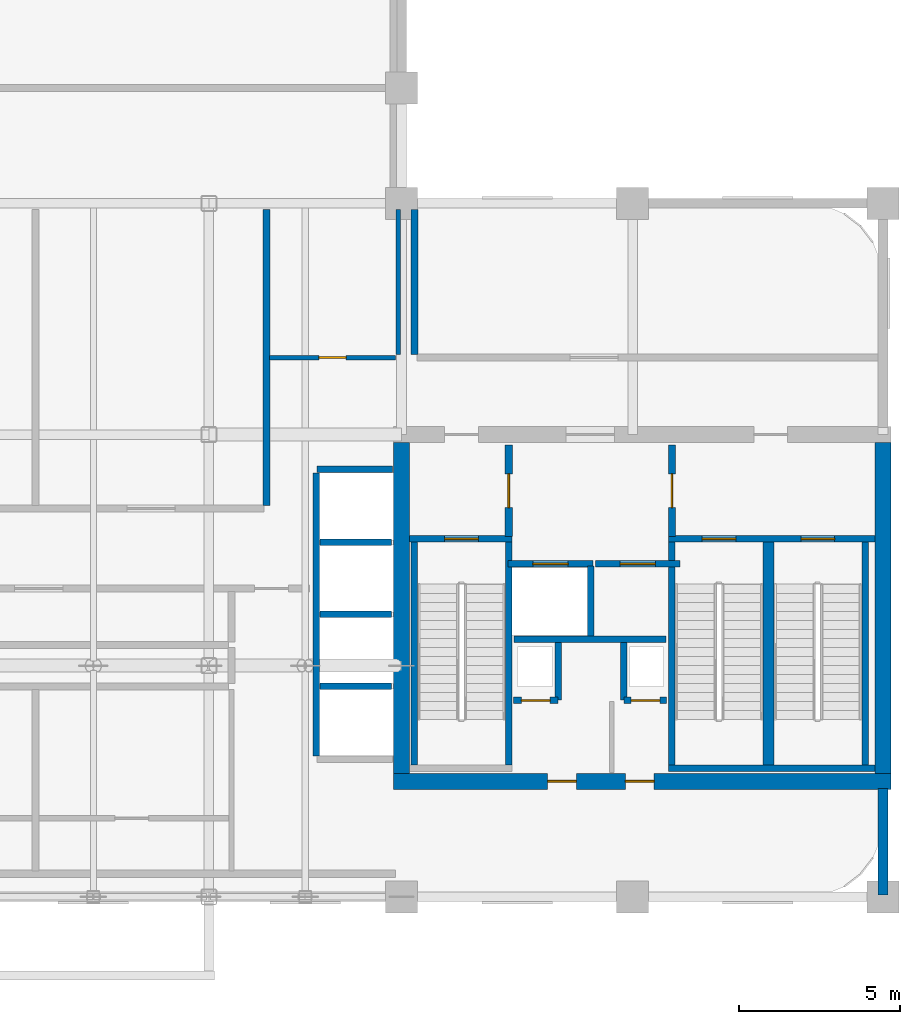
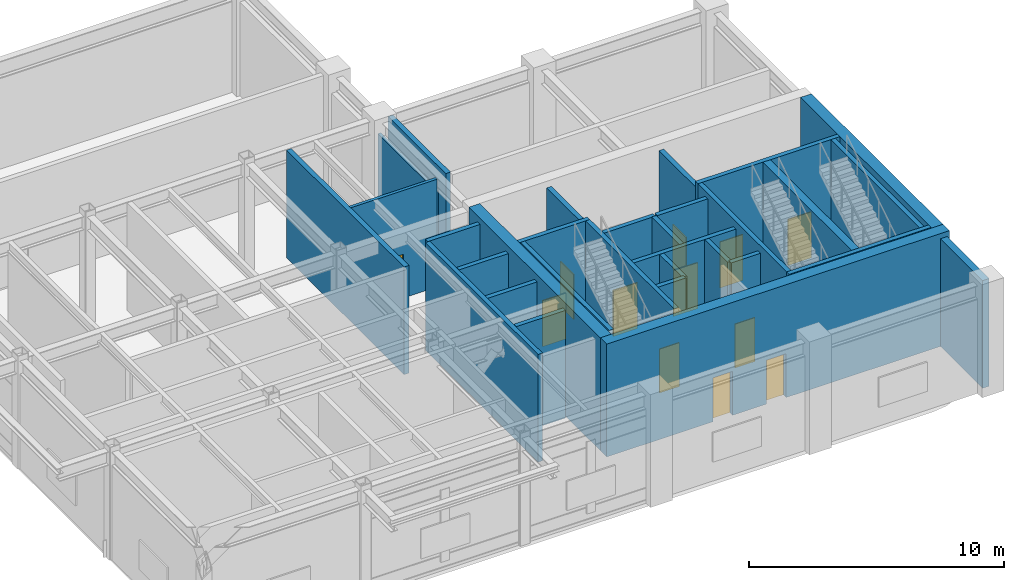
# One storey, part 6 of 10: 31 walls, 12 doors, 12 openings.
"""IFC4 building model written with IfcOpenShell, lengths in metres."""

from ifc_helpers import new_model, si_unit, derived_unit, direction, frame, frame_2d, origin, place, context, subcontext, project, spatial, rectangle, extrude, source, transform, mapped, material, layer, layer_set, type_object, type_shapes, element, fill, save


model = new_model("IFC4")

# Units and contexts
model_context = context("Model", 3, precision=1e-05, world=origin(), true_north=direction((0.0, 1.0)))
body_context = subcontext(model_context, "Body", "Model", "MODEL_VIEW")
ifc_project = project(units=[si_unit("LENGTHUNIT", "METRE"), si_unit("AREAUNIT", "SQUARE_METRE"), si_unit("VOLUMEUNIT", "CUBIC_METRE"), si_unit("PLANEANGLEUNIT", "RADIAN"), si_unit("MASSUNIT", "GRAM", prefix="KILO"), si_unit("THERMODYNAMICTEMPERATUREUNIT", "KELVIN"), si_unit("POWERUNIT", "WATT"), derived_unit("THERMALTRANSMITTANCEUNIT", [(si_unit("POWERUNIT", "WATT"), 1), (si_unit("AREAUNIT", "SQUARE_METRE"), -1), (si_unit("THERMODYNAMICTEMPERATUREUNIT", "KELVIN"), -1)])], contexts=[model_context])

# Site, building, storey
site_placement = place(None, origin())
site = spatial("IfcSite", under=ifc_project, at=site_placement, CompositionType="ELEMENT")
building_placement = place(site_placement, origin())
building = spatial("IfcBuilding", under=site, at=building_placement, Name="Zahravan Archway Hotel and Residences", CompositionType="ELEMENT")
storey_placement = place(building_placement, frame((0.0, 0.0, 196.5)))
storey = spatial("IfcBuildingStorey", under=building, at=storey_placement, Name="L49", CompositionType="ELEMENT", Elevation=196.5)

# Wall, openings, doors
ifc_material_1 = material(Name="Concrete C60/75", Category="concrete")
ifc_layer_1 = layer(ifc_material_1, 0.5, Name="Concrete C60/75", Category="concrete")
ifc_layer_set_1 = layer_set([ifc_layer_1], Name="Concrete C60/75")
wall_type_1 = type_object("IfcWallType", Name="CW-CORE-500", PredefinedType="SHEAR", material=ifc_layer_set_1)
wall_1_placement = place(storey_placement, frame((34.550048828125, 3.60009765625, 0.0), z_axis=(0.0, 0.0, 1.0), x_axis=(1.0, 0.0, 0.0)))
wall_1 = element("IfcWall", 1, at=wall_1_placement, inside=storey, type_object=wall_type_1, Name="L49 Core A Shear S Wall 500 mm", PredefinedType="SHEAR", context=body_context, shape_type="SweptSolid", body=[
    extrude(rectangle(XDim=15.5, YDim=0.5, at=frame_2d((7.75, 0.0))), origin(), (0.0, 0.0, 1.0), 5.39990234375),
])
opening_1_placement = place(wall_1_placement, frame((4.800048828125, 0.0, 0.0)))
opening_1 = element("IfcOpeningElement", 2, at=opening_1_placement, cuts=wall_1, Name="Opening FD-R1", PredefinedType="OPENING", context=body_context, shape_type="SweptSolid", body=[
    extrude(rectangle(XDim=0.89990234375, YDim=2.10009765625, at=frame_2d((0.449951171875, 1.050048828125))), frame((0.0, 0.260009765625, 0.0), z_axis=(0.0, -1.0, 0.0), x_axis=(1.0, 0.0, 0.0)), (0.0, 0.0, 1.0), 0.52001953125),
])
opening_2_placement = place(wall_1_placement, frame((7.219970703125, 0.0, 0.0)))
opening_2 = element("IfcOpeningElement", 3, at=opening_2_placement, cuts=wall_1, Name="Opening FD-R1", PredefinedType="OPENING", context=body_context, shape_type="SweptSolid", body=[
    extrude(rectangle(XDim=0.89990234375, YDim=2.10009765625, at=frame_2d((0.449951171875, 1.050048828125))), frame((0.0, 0.260009765625, 0.0), z_axis=(0.0, -1.0, 0.0), x_axis=(1.0, 0.0, 0.0)), (0.0, 0.0, 1.0), 0.52001953125),
])
ifc_material_2 = material(Name="Fire-Rated Painted Steel", Category="steel")
door_type_1 = type_object("IfcDoorType", Name="FD-RISER-900", OperationType="NOTDEFINED", PredefinedType="DOOR", material=ifc_material_2)
shared_shape_1 = source(origin(), body_context, "Body", "SweptSolid", [
    extrude(rectangle(XDim=0.89990234375, YDim=2.10009765625, at=frame_2d((0.449951171875, 1.050048828125))), frame((0.0, 0.02490234375, 0.0), z_axis=(0.0, -1.0, 0.0), x_axis=(1.0, 0.0, 0.0)), (0.0, 0.0, 1.0), 0.050048828125),
])
type_shapes(door_type_1, [shared_shape_1])
door_1_placement = place(opening_1_placement, origin())
door_1 = element("IfcDoor", 4, at=door_1_placement, inside=storey, type_object=door_type_1, Name="L49 Service Pantry Door", OperationType="SINGLE_SWING_LEFT", OverallHeight=2.10009765625, OverallWidth=0.89990234375, PredefinedType="DOOR", context=body_context, shape_type="MappedRepresentation", body=[
    mapped(shared_shape_1, transform((0.0, 0.0, 0.0), scale=1.0)),
])
fill(opening_1, door_1)
door_2_placement = place(opening_2_placement, origin())
door_2 = element("IfcDoor", 5, at=door_2_placement, inside=storey, type_object=door_type_1, Name="L49 Fibre ELV Riser Door", OperationType="SINGLE_SWING_RIGHT", OverallHeight=2.10009765625, OverallWidth=0.89990234375, PredefinedType="DOOR", context=body_context, shape_type="MappedRepresentation", body=[
    mapped(shared_shape_1, transform((0.0, 0.0, 0.0), scale=1.0)),
])
fill(opening_2, door_2)

# Walls
for number, where, z_axis, x_axis, name in (
    (6, (34.800048828125, 3.85009765625, 0.0), (0.0, 0.0, 1.0), (0.0, 1.0, 0.0), "L49 Core A Shear W Wall 500 mm"),
    (7, (49.800048828125, 3.85009765625, 0.0), (0.0, 0.0, 1.0), (0.0, 1.0, 0.0), "L49 Core A Shear E Wall 500 mm"),
):
    element("IfcWall", number, at=place(storey_placement, frame(where, z_axis=z_axis, x_axis=x_axis)), inside=storey, type_object=wall_type_1, Name=name, PredefinedType="SHEAR", context=body_context, shape_type="SweptSolid", body=[
        extrude(rectangle(XDim=10.2998046875, YDim=0.5, at=frame_2d((5.14990234375, 0.0))), origin(), (0.0, 0.0, 1.0), 5.39990234375),
    ])
ifc_material_3 = material(Name="Acoustic Louvred Sandstone Backup Wall", Category="masonry")
ifc_layer_2 = layer(ifc_material_3, 0.300048828125, Name="Acoustic Louvred Sandstone Backup Wall", Category="masonry")
ifc_layer_set_2 = layer_set([ifc_layer_2], Name="Acoustic Louvred Sandstone Backup Wall")
wall_type_2 = type_object("IfcWallType", Name="EW-REF-300", PredefinedType="SOLIDWALL", material=ifc_layer_set_2)
wall_2_placement = place(storey_placement, frame((49.800048828125, 0.050048828125, 0.0), z_axis=(0.0, 0.0, 1.0), x_axis=(0.0, 1.0, 0.0)))
element("IfcWall", 8, at=wall_2_placement, inside=storey, type_object=wall_type_2, Name="L49 Exterior Sandstone Wall WA-ES", PredefinedType="SOLIDWALL", context=body_context, shape_type="SweptSolid", body=[
    extrude(rectangle(XDim=3.329833984375, YDim=0.300048828125, at=frame_2d((1.6650390625, 0.0))), origin(), (0.0, 0.0, 1.0), 5.14990234375),
])

# Wall, opening, door
ifc_material_4 = material(Name="Fire-Rated Gypsum & Concrete Block", Category="concrete")
ifc_layer_3 = layer(ifc_material_4, 0.219970703125, Name="Fire-Rated Gypsum & Concrete Block", Category="concrete")
ifc_layer_set_3 = layer_set([ifc_layer_3], Name="Fire-Rated Gypsum & Concrete Block")
wall_type_3 = type_object("IfcWallType", Name="PW-COMP-220", PredefinedType="PARTITIONING", material=ifc_layer_set_3)
wall_3_placement = place(storey_placement, frame((38.139892578125, 11.219970703125, 0.0), z_axis=(0.0, 0.0, 1.0), x_axis=(0.0, 1.0, 0.0)))
wall_3 = element("IfcWall", 9, at=wall_3_placement, inside=storey, type_object=wall_type_3, Name="L49 Partition CA-LOBW", PredefinedType="PARTITIONING", context=body_context, shape_type="SweptSolid", body=[
    extrude(rectangle(XDim=2.860107421875, YDim=0.219970703125, at=frame_2d((1.43017578125, 0.0))), origin(), (0.0, 0.0, 1.0), 5.14990234375),
])
opening_3_placement = place(wall_3_placement, frame((0.905029296875, 0.0, 0.0)))
opening_3 = element("IfcOpeningElement", 10, at=opening_3_placement, cuts=wall_3, Name="Opening FD-L2", PredefinedType="OPENING", context=body_context, shape_type="SweptSolid", body=[
    extrude(rectangle(XDim=1.050048828125, YDim=2.14990234375, at=frame_2d((0.52490234375, 1.074951171875))), frame((0.0, 0.1201171875, 0.0), z_axis=(0.0, -1.0, 0.0), x_axis=(1.0, 0.0, 0.0)), (0.0, 0.0, 1.0), 0.239990234375),
])
door_type_2 = type_object("IfcDoorType", Name="FD-LOBBY-1100", OperationType="NOTDEFINED", PredefinedType="DOOR", material=ifc_material_2)
shared_shape_2 = source(origin(), body_context, "Body", "SweptSolid", [
    extrude(rectangle(XDim=1.050048828125, YDim=2.14990234375, at=frame_2d((0.52490234375, 1.074951171875))), frame((0.0, 0.02490234375, 0.0), z_axis=(0.0, -1.0, 0.0), x_axis=(1.0, 0.0, 0.0)), (0.0, 0.0, 1.0), 0.050048828125),
])
type_shapes(door_type_2, [shared_shape_2])
door_3_placement = place(opening_3_placement, origin())
door_3 = element("IfcDoor", 11, at=door_3_placement, inside=storey, type_object=door_type_2, Name="L49 Core A West Stair to FSAE Lobby Door", OperationType="SINGLE_SWING_LEFT", OverallHeight=2.14990234375, OverallWidth=1.050048828125, PredefinedType="DOOR", context=body_context, shape_type="MappedRepresentation", body=[
    mapped(shared_shape_2, transform((0.0, 0.0, 0.0), scale=1.0)),
])
fill(opening_3, door_3)

wall_4_placement = place(storey_placement, frame((43.219970703125, 11.219970703125, 0.0), z_axis=(0.0, 0.0, 1.0), x_axis=(0.0, 1.0, 0.0)))
wall_4 = element("IfcWall", 12, at=wall_4_placement, inside=storey, type_object=wall_type_3, Name="L49 Partition CA-LOBE", PredefinedType="PARTITIONING", context=body_context, shape_type="SweptSolid", body=[
    extrude(rectangle(XDim=2.860107421875, YDim=0.219970703125, at=frame_2d((1.43017578125, 0.0))), origin(), (0.0, 0.0, 1.0), 5.14990234375),
])
opening_4_placement = place(wall_4_placement, frame((0.905029296875, 0.0, 0.0)))
opening_4 = element("IfcOpeningElement", 13, at=opening_4_placement, cuts=wall_4, Name="Opening FD-L2", PredefinedType="OPENING", context=body_context, shape_type="SweptSolid", body=[
    extrude(rectangle(XDim=1.050048828125, YDim=2.14990234375, at=frame_2d((0.52490234375, 1.074951171875))), frame((0.0, 0.1201171875, 0.0), z_axis=(0.0, -1.0, 0.0), x_axis=(1.0, 0.0, 0.0)), (0.0, 0.0, 1.0), 0.239990234375),
])
door_4_placement = place(opening_4_placement, origin())
door_4 = element("IfcDoor", 14, at=door_4_placement, inside=storey, type_object=door_type_2, Name="L49 Core A East Stair to FSAE Lobby Door", OperationType="SINGLE_SWING_RIGHT", OverallHeight=2.14990234375, OverallWidth=1.050048828125, PredefinedType="DOOR", context=body_context, shape_type="MappedRepresentation", body=[
    mapped(shared_shape_2, transform((0.0, 0.0, 0.0), scale=1.0)),
])
fill(opening_4, door_4)

# Walls
wall_5_placement = place(storey_placement, frame((30.60009765625, 12.18994140625, 0.0), z_axis=(0.0, 0.0, 1.0), x_axis=(0.0, 1.0, 0.0)))
element("IfcWall", 15, at=wall_5_placement, inside=storey, type_object=wall_type_3, Name="L49 Partition L49-RWE", PredefinedType="PARTITIONING", context=body_context, shape_type="SweptSolid", body=[
    extrude(rectangle(XDim=9.219970703125, YDim=0.219970703125, at=frame_2d((4.60986328125, 0.0))), origin(), (0.0, 0.0, 1.0), 5.14990234375),
])
wall_6_placement = place(storey_placement, frame((35.199951171875, 16.889892578125, 0.0), z_axis=(0.0, 0.0, 1.0), x_axis=(0.0, 1.0, 0.0)))
element("IfcWall", 16, at=wall_6_placement, inside=storey, type_object=wall_type_3, Name="L49 Partition L49-RNEW", PredefinedType="PARTITIONING", context=body_context, shape_type="SweptSolid", body=[
    extrude(rectangle(XDim=4.52001953125, YDim=0.219970703125, at=frame_2d((2.260009765625, 0.0))), origin(), (0.0, 0.0, 1.0), 5.14990234375),
])
ifc_layer_4 = layer(ifc_material_4, 0.199951171875, Name="Fire-Rated Gypsum & Concrete Block", Category="concrete")
ifc_layer_set_4 = layer_set([ifc_layer_4], Name="Fire-Rated Gypsum & Concrete Block")
wall_type_4 = type_object("IfcWallType", Name="PW-SHAFT-200", PredefinedType="PARTITIONING", material=ifc_layer_set_4)
wall_7_placement = place(storey_placement, frame((38.300048828125, 8.030029296875, 0.0), z_axis=(0.0, 0.0, 1.0), x_axis=(1.0, 0.0, 0.0)))
element("IfcWall", 17, at=wall_7_placement, inside=storey, type_object=wall_type_4, Name="L49 Partition CA-FLS", PredefinedType="PARTITIONING", context=body_context, shape_type="SweptSolid", body=[
    extrude(rectangle(XDim=4.739990234375, YDim=0.199951171875, at=frame_2d((2.3701171875, 0.0))), origin(), (0.0, 0.0, 1.0), 5.14990234375),
])
wall_8_placement = place(storey_placement, frame((40.699951171875, 8.1201171875, 0.0), z_axis=(0.0, 0.0, 1.0), x_axis=(0.0, 1.0, 0.0)))
element("IfcWall", 18, at=wall_8_placement, inside=storey, type_object=wall_type_4, Name="L49 Partition CA-FLM", PredefinedType="PARTITIONING", context=body_context, shape_type="SweptSolid", body=[
    extrude(rectangle(XDim=2.179931640625, YDim=0.199951171875, at=frame_2d((1.08984375, 0.0))), origin(), (0.0, 0.0, 1.0), 5.14990234375),
])

# Wall, opening, door
wall_9_placement = place(storey_placement, frame((38.2900390625, 6.1201171875, 0.0), z_axis=(0.0, 0.0, 1.0), x_axis=(1.0, 0.0, 0.0)))
wall_9 = element("IfcWall", 19, at=wall_9_placement, inside=storey, type_object=wall_type_4, Name="L49 Partition CA-SMKS", PredefinedType="PARTITIONING", context=body_context, shape_type="SweptSolid", body=[
    extrude(rectangle(XDim=1.3798828125, YDim=0.199951171875, at=frame_2d((0.68994140625, 0.0))), origin(), (0.0, 0.0, 1.0), 5.14990234375),
])
opening_5_placement = place(wall_9_placement, frame((0.239990234375, 0.0, 0.0)))
opening_5 = element("IfcOpeningElement", 20, at=opening_5_placement, cuts=wall_9, Name="Opening FD-R1", PredefinedType="OPENING", context=body_context, shape_type="SweptSolid", body=[
    extrude(rectangle(XDim=0.89990234375, YDim=2.10009765625, at=frame_2d((0.449951171875, 1.050048828125))), frame((0.0, 0.10986328125, 0.0), z_axis=(0.0, -1.0, 0.0), x_axis=(1.0, 0.0, 0.0)), (0.0, 0.0, 1.0), 0.219970703125),
])
door_5_placement = place(opening_5_placement, origin())
door_5 = element("IfcDoor", 21, at=door_5_placement, inside=storey, type_object=door_type_1, Name="L49 Smoke Riser Access Door", OperationType="SINGLE_SWING_LEFT", OverallHeight=2.10009765625, OverallWidth=0.89990234375, PredefinedType="DOOR", context=body_context, shape_type="MappedRepresentation", body=[
    mapped(shared_shape_1, transform((0.0, 0.0, 0.0), scale=1.0)),
])
fill(opening_5, door_5)

# Wall
wall_10_placement = place(storey_placement, frame((39.679931640625, 6.1298828125, 0.0), z_axis=(0.0, 0.0, 1.0), x_axis=(0.0, 1.0, 0.0)))
element("IfcWall", 22, at=wall_10_placement, inside=storey, type_object=wall_type_4, Name="L49 Partition CA-SMKE", PredefinedType="PARTITIONING", context=body_context, shape_type="SweptSolid", body=[
    extrude(rectangle(XDim=1.7900390625, YDim=0.199951171875, at=frame_2d((0.89501953125, 0.0))), origin(), (0.0, 0.0, 1.0), 5.14990234375),
])

# Wall, opening, door
wall_11_placement = place(storey_placement, frame((41.72998046875, 6.1201171875, 0.0), z_axis=(0.0, 0.0, 1.0), x_axis=(1.0, 0.0, 0.0)))
wall_11 = element("IfcWall", 23, at=wall_11_placement, inside=storey, type_object=wall_type_4, Name="L49 Partition CA-MEPS", PredefinedType="PARTITIONING", context=body_context, shape_type="SweptSolid", body=[
    extrude(rectangle(XDim=1.320068359375, YDim=0.199951171875, at=frame_2d((0.66015625, 0.0))), origin(), (0.0, 0.0, 1.0), 5.14990234375),
])
opening_6_placement = place(wall_11_placement, frame((0.219970703125, 0.0, 0.0)))
opening_6 = element("IfcOpeningElement", 24, at=opening_6_placement, cuts=wall_11, Name="Opening FD-R1", PredefinedType="OPENING", context=body_context, shape_type="SweptSolid", body=[
    extrude(rectangle(XDim=0.89990234375, YDim=2.10009765625, at=frame_2d((0.449951171875, 1.050048828125))), frame((0.0, 0.10986328125, 0.0), z_axis=(0.0, -1.0, 0.0), x_axis=(1.0, 0.0, 0.0)), (0.0, 0.0, 1.0), 0.219970703125),
])
door_6_placement = place(opening_6_placement, origin())
door_6 = element("IfcDoor", 25, at=door_6_placement, inside=storey, type_object=door_type_1, Name="L49 MEP Riser Access Door", OperationType="SINGLE_SWING_RIGHT", OverallHeight=2.10009765625, OverallWidth=0.89990234375, PredefinedType="DOOR", context=body_context, shape_type="MappedRepresentation", body=[
    mapped(shared_shape_1, transform((0.0, 0.0, 0.0), scale=1.0)),
])
fill(opening_6, door_6)

# Walls
wall_12_placement = place(storey_placement, frame((41.719970703125, 6.1298828125, 0.0), z_axis=(0.0, 0.0, 1.0), x_axis=(0.0, 1.0, 0.0)))
element("IfcWall", 26, at=wall_12_placement, inside=storey, type_object=wall_type_4, Name="L49 Partition CA-MEPW", PredefinedType="PARTITIONING", context=body_context, shape_type="SweptSolid", body=[
    extrude(rectangle(XDim=1.7900390625, YDim=0.199951171875, at=frame_2d((0.89501953125, 0.0))), origin(), (0.0, 0.0, 1.0), 5.14990234375),
])
wall_13_placement = place(storey_placement, frame((32.159912109375, 13.320068359375, 0.0), z_axis=(0.0, 0.0, 1.0), x_axis=(1.0, 0.0, 0.0)))
element("IfcWall", 27, at=wall_13_placement, inside=storey, type_object=wall_type_4, Name="L49 Partition B3-N", PredefinedType="PARTITIONING", context=body_context, shape_type="SweptSolid", body=[
    extrude(rectangle(XDim=2.360107421875, YDim=0.199951171875, at=frame_2d((1.18017578125, 0.0))), origin(), (0.0, 0.0, 1.0), 5.14990234375),
])
wall_14_placement = place(storey_placement, frame((32.14990234375, 4.389892578125, 0.0), z_axis=(0.0, 0.0, 1.0), x_axis=(0.0, 1.0, 0.0)))
element("IfcWall", 28, at=wall_14_placement, inside=storey, type_object=wall_type_4, Name="L49 Partition B3-W", PredefinedType="PARTITIONING", context=body_context, shape_type="SweptSolid", body=[
    extrude(rectangle(XDim=8.820068359375, YDim=0.199951171875, at=frame_2d((4.41015625, 0.0))), origin(), (0.0, 0.0, 1.0), 5.14990234375),
])
for number, where, z_axis, x_axis, name in (
    (29, (32.260009765625, 6.56005859375, 0.0), (0.0, 0.0, 1.0), (1.0, 0.0, 0.0), "L49 Partition B3-D"),
    (30, (32.260009765625, 8.800048828125, 0.0), (0.0, 0.0, 1.0), (1.0, 0.0, 0.0), "L49 Partition B3-D"),
    (31, (32.260009765625, 11.0400390625, 0.0), (0.0, 0.0, 1.0), (1.0, 0.0, 0.0), "L49 Partition B3-D"),
):
    element("IfcWall", number, at=place(storey_placement, frame(where, z_axis=z_axis, x_axis=x_axis)), inside=storey, type_object=wall_type_4, Name=name, PredefinedType="PARTITIONING", context=body_context, shape_type="SweptSolid", body=[
        extrude(rectangle(XDim=2.22998046875, YDim=0.199951171875, at=frame_2d((1.114990234375, 0.0))), origin(), (0.0, 0.0, 1.0), 5.14990234375),
    ])

# Wall, opening, door
wall_15_placement = place(storey_placement, frame((38.1201171875, 10.3701171875, 0.0), z_axis=(0.0, 0.0, 1.0), x_axis=(1.0, 0.0, 0.0)))
wall_15 = element("IfcWall", 32, at=wall_15_placement, inside=storey, type_object=wall_type_4, Name="L49 Lift FL-1 Front Wall", PredefinedType="PARTITIONING", context=body_context, shape_type="SweptSolid", body=[
    extrude(rectangle(XDim=2.639892578125, YDim=0.199951171875, at=frame_2d((1.31982421875, 0.0))), origin(), (0.0, 0.0, 1.0), 5.14990234375),
])
opening_7_placement = place(wall_15_placement, frame((0.77001953125, 0.0, 0.0)))
opening_7 = element("IfcOpeningElement", 33, at=opening_7_placement, cuts=wall_15, Name="Opening LD", PredefinedType="OPENING", context=body_context, shape_type="SweptSolid", body=[
    extrude(rectangle(XDim=1.10009765625, YDim=2.199951171875, at=frame_2d((0.550048828125, 1.10009765625))), frame((0.0, 0.10986328125, 0.0), z_axis=(0.0, -1.0, 0.0), x_axis=(1.0, 0.0, 0.0)), (0.0, 0.0, 1.0), 0.219970703125),
])
ifc_material_5 = material(Name="Brushed Stainless Steel", Category="steel")
door_type_3 = type_object("IfcDoorType", Name="DR-LIFT-LD", OperationType="SLIDING_TO_LEFT", PredefinedType="DOOR", material=ifc_material_5)
shared_shape_3 = source(origin(), body_context, "Body", "SweptSolid", [
    extrude(rectangle(XDim=1.10009765625, YDim=2.199951171875, at=frame_2d((0.550048828125, 1.10009765625))), frame((0.0, 0.02490234375, 0.0), z_axis=(0.0, -1.0, 0.0), x_axis=(1.0, 0.0, 0.0)), (0.0, 0.0, 1.0), 0.050048828125),
])
type_shapes(door_type_3, [shared_shape_3])
door_7_placement = place(opening_7_placement, origin())
door_7 = element("IfcDoor", 34, at=door_7_placement, inside=storey, type_object=door_type_3, Name="L49 Lift FL-1 Sliding Landing Door", OperationType="SLIDING_TO_LEFT", OverallHeight=2.199951171875, OverallWidth=1.10009765625, PredefinedType="DOOR", context=body_context, shape_type="MappedRepresentation", body=[
    mapped(shared_shape_3, transform((0.0, 0.0, 0.0), scale=1.0)),
])
fill(opening_7, door_7)

wall_16_placement = place(storey_placement, frame((40.840087890625, 10.3701171875, 0.0), z_axis=(0.0, 0.0, 1.0), x_axis=(1.0, 0.0, 0.0)))
wall_16 = element("IfcWall", 35, at=wall_16_placement, inside=storey, type_object=wall_type_4, Name="L49 Lift FL-2 Front Wall", PredefinedType="PARTITIONING", context=body_context, shape_type="SweptSolid", body=[
    extrude(rectangle(XDim=2.639892578125, YDim=0.199951171875, at=frame_2d((1.31982421875, 0.0))), origin(), (0.0, 0.0, 1.0), 5.14990234375),
])
opening_8_placement = place(wall_16_placement, frame((0.77001953125, 0.0, 0.0)))
opening_8 = element("IfcOpeningElement", 36, at=opening_8_placement, cuts=wall_16, Name="Opening LD", PredefinedType="OPENING", context=body_context, shape_type="SweptSolid", body=[
    extrude(rectangle(XDim=1.10009765625, YDim=2.199951171875, at=frame_2d((0.550048828125, 1.10009765625))), frame((0.0, 0.10986328125, 0.0), z_axis=(0.0, -1.0, 0.0), x_axis=(1.0, 0.0, 0.0)), (0.0, 0.0, 1.0), 0.219970703125),
])
door_8_placement = place(opening_8_placement, origin())
door_8 = element("IfcDoor", 37, at=door_8_placement, inside=storey, type_object=door_type_3, Name="L49 Lift FL-2 Sliding Landing Door", OperationType="SLIDING_TO_LEFT", OverallHeight=2.199951171875, OverallWidth=1.10009765625, PredefinedType="DOOR", context=body_context, shape_type="MappedRepresentation", body=[
    mapped(shared_shape_3, transform((0.0, 0.0, 0.0), scale=1.0)),
])
fill(opening_8, door_8)

ifc_material_6 = material(Name="Moisture-Resistant Blockwork", Category="masonry")
ifc_layer_5 = layer(ifc_material_6, 0.139892578125, Name="Moisture-Resistant Blockwork", Category="masonry")
ifc_layer_set_5 = layer_set([ifc_layer_5], Name="Moisture-Resistant Blockwork")
wall_type_5 = type_object("IfcWallType", Name="PW-WET-140", PredefinedType="PARTITIONING", material=ifc_layer_set_5)
wall_17_placement = place(storey_placement, frame((30.68994140625, 16.800048828125, 0.0), z_axis=(0.0, 0.0, 1.0), x_axis=(1.0, 0.0, 0.0)))
wall_17 = element("IfcWall", 38, at=wall_17_placement, inside=storey, type_object=wall_type_5, Name="L49 Partition L49-RWCS", PredefinedType="PARTITIONING", context=body_context, shape_type="SweptSolid", body=[
    extrude(rectangle(XDim=3.920166015625, YDim=0.139892578125, at=frame_2d((1.9599609375, 0.0))), origin(), (0.0, 0.0, 1.0), 5.14990234375),
])
opening_9_placement = place(wall_17_placement, frame((1.534912109375, 0.0, 0.0)))
opening_9 = element("IfcOpeningElement", 39, at=opening_9_placement, cuts=wall_17, Name="Opening D-B1", PredefinedType="OPENING", context=body_context, shape_type="SweptSolid", body=[
    extrude(rectangle(XDim=0.85009765625, YDim=2.10009765625, at=frame_2d((0.425048828125, 1.050048828125))), frame((0.0, 0.080078125, 0.0), z_axis=(0.0, -1.0, 0.0), x_axis=(1.0, 0.0, 0.0)), (0.0, 0.0, 1.0), 0.159912109375),
])
ifc_material_7 = material(Name="Hardwood Veneer Timber", Category="wood")
door_type_4 = type_object("IfcDoorType", Name="ID-BATH-850", OperationType="NOTDEFINED", PredefinedType="DOOR", material=ifc_material_7)
shared_shape_4 = source(origin(), body_context, "Body", "SweptSolid", [
    extrude(rectangle(XDim=0.85009765625, YDim=2.10009765625, at=frame_2d((0.425048828125, 1.050048828125))), frame((0.0, 0.02490234375, 0.0), z_axis=(0.0, -1.0, 0.0), x_axis=(1.0, 0.0, 0.0)), (0.0, 0.0, 1.0), 0.050048828125),
])
type_shapes(door_type_4, [shared_shape_4])
door_9_placement = place(opening_9_placement, origin())
door_9 = element("IfcDoor", 40, at=door_9_placement, inside=storey, type_object=door_type_4, Name="L49 Refuge Accessible WC Door", OperationType="SINGLE_SWING_LEFT", OverallHeight=2.10009765625, OverallWidth=0.85009765625, PredefinedType="DOOR", context=body_context, shape_type="MappedRepresentation", body=[
    mapped(shared_shape_4, transform((0.0, 0.0, 0.0), scale=1.0)),
])
fill(opening_9, door_9)

# Walls
wall_18_placement = place(storey_placement, frame((34.699951171875, 16.889892578125, 0.0), z_axis=(0.0, 0.0, 1.0), x_axis=(0.0, 1.0, 0.0)))
element("IfcWall", 41, at=wall_18_placement, inside=storey, type_object=wall_type_5, Name="L49 Partition L49-RWCE", PredefinedType="PARTITIONING", context=body_context, shape_type="SweptSolid", body=[
    extrude(rectangle(XDim=4.52001953125, YDim=0.139892578125, at=frame_2d((2.260009765625, 0.0))), origin(), (0.0, 0.0, 1.0), 4.485107421875),
])
ifc_material_8 = material(Name="Concrete C50/60", Category="concrete")
ifc_layer_6 = layer(ifc_material_8, 0.199951171875, Name="Concrete C50/60", Category="concrete")
ifc_layer_set_6 = layer_set([ifc_layer_6], Name="Concrete C50/60")
wall_type_6 = type_object("IfcWallType", Name="SW-STAIR-200", PredefinedType="SHEAR", material=ifc_layer_set_6)
for number, where, z_axis, x_axis, name in (
    (42, (35.199951171875, 4.10009765625, 0.0), (0.0, 0.0, 1.0), (0.0, 1.0, 0.0), "L49 Stairwell RC Wall CA-SA1W"),
    (43, (38.139892578125, 4.10009765625, 0.0), (0.0, 0.0, 1.0), (0.0, 1.0, 0.0), "L49 Stairwell RC Wall CA-SA1E"),
):
    element("IfcWall", number, at=place(storey_placement, frame(where, z_axis=z_axis, x_axis=x_axis)), inside=storey, type_object=wall_type_6, Name=name, PredefinedType="SHEAR", context=body_context, shape_type="SweptSolid", body=[
        extrude(rectangle(XDim=6.949951171875, YDim=0.199951171875, at=frame_2d((3.47509765625, 0.0))), origin(), (0.0, 0.0, 1.0), 5.39990234375),
    ])

# Wall, opening, door
wall_19_placement = place(storey_placement, frame((35.050048828125, 11.14990234375, 0.0), z_axis=(0.0, 0.0, 1.0), x_axis=(1.0, 0.0, 0.0)))
wall_19 = element("IfcWall", 44, at=wall_19_placement, inside=storey, type_object=wall_type_6, Name="L49 Stairwell RC Wall CA-SA1N", PredefinedType="SHEAR", context=body_context, shape_type="SweptSolid", body=[
    extrude(rectangle(XDim=3.18994140625, YDim=0.199951171875, at=frame_2d((1.594970703125, 0.0))), origin(), (0.0, 0.0, 1.0), 5.39990234375),
])
opening_10_placement = place(wall_19_placement, frame((1.094970703125, 0.0, 0.0)))
opening_10 = element("IfcOpeningElement", 45, at=opening_10_placement, cuts=wall_19, Name="Opening FD-S1", PredefinedType="OPENING", context=body_context, shape_type="SweptSolid", body=[
    extrude(rectangle(XDim=1.050048828125, YDim=2.199951171875, at=frame_2d((0.52490234375, 1.10009765625))), frame((0.0, 0.10986328125, 0.0), z_axis=(0.0, -1.0, 0.0), x_axis=(1.0, 0.0, 0.0)), (0.0, 0.0, 1.0), 0.219970703125),
])
door_type_5 = type_object("IfcDoorType", Name="FD-STAIR-1100", OperationType="NOTDEFINED", PredefinedType="DOOR", material=ifc_material_2)
shared_shape_5 = source(origin(), body_context, "Body", "SweptSolid", [
    extrude(rectangle(XDim=1.050048828125, YDim=2.199951171875, at=frame_2d((0.52490234375, 1.10009765625))), frame((0.0, 0.02490234375, 0.0), z_axis=(0.0, -1.0, 0.0), x_axis=(1.0, 0.0, 0.0)), (0.0, 0.0, 1.0), 0.050048828125),
])
type_shapes(door_type_5, [shared_shape_5])
door_10_placement = place(opening_10_placement, origin())
door_10 = element("IfcDoor", 46, at=door_10_placement, inside=storey, type_object=door_type_5, Name="L49 Stair ST-A1 Door", OperationType="SINGLE_SWING_RIGHT", OverallHeight=2.199951171875, OverallWidth=1.050048828125, PredefinedType="DOOR", context=body_context, shape_type="MappedRepresentation", body=[
    mapped(shared_shape_5, transform((0.0, 0.0, 0.0), scale=1.0)),
])
fill(opening_10, door_10)

# Walls
wall_20_placement = place(storey_placement, frame((43.1201171875, 4.0, 0.0), z_axis=(0.0, 0.0, 1.0), x_axis=(1.0, 0.0, 0.0)))
element("IfcWall", 47, at=wall_20_placement, inside=storey, type_object=wall_type_6, Name="L49 Stairwell RC Wall CA-SA23S", PredefinedType="SHEAR", context=body_context, shape_type="SweptSolid", body=[
    extrude(rectangle(XDim=6.429931640625, YDim=0.199951171875, at=frame_2d((3.21484375, 0.0))), origin(), (0.0, 0.0, 1.0), 5.39990234375),
])
for number, where, z_axis, x_axis, name in (
    (48, (43.219970703125, 4.10009765625, 0.0), (0.0, 0.0, 1.0), (0.0, 1.0, 0.0), "L49 Stairwell RC Wall CA-SA2W"),
    (49, (49.239990234375, 4.10009765625, 0.0), (0.0, 0.0, 1.0), (0.0, 1.0, 0.0), "L49 Stairwell RC Wall CA-SA3E"),
):
    element("IfcWall", number, at=place(storey_placement, frame(where, z_axis=z_axis, x_axis=x_axis)), inside=storey, type_object=wall_type_6, Name=name, PredefinedType="SHEAR", context=body_context, shape_type="SweptSolid", body=[
        extrude(rectangle(XDim=6.949951171875, YDim=0.199951171875, at=frame_2d((3.47509765625, 0.0))), origin(), (0.0, 0.0, 1.0), 5.39990234375),
    ])

# Wall, openings, doors
wall_21_placement = place(storey_placement, frame((43.1201171875, 11.14990234375, 0.0), z_axis=(0.0, 0.0, 1.0), x_axis=(1.0, 0.0, 0.0)))
wall_21 = element("IfcWall", 50, at=wall_21_placement, inside=storey, type_object=wall_type_6, Name="L49 Stairwell RC Wall CA-SA23N", PredefinedType="SHEAR", context=body_context, shape_type="SweptSolid", body=[
    extrude(rectangle(XDim=6.429931640625, YDim=0.199951171875, at=frame_2d((3.21484375, 0.0))), origin(), (0.0, 0.0, 1.0), 5.39990234375),
])
opening_11_placement = place(wall_21_placement, frame((1.044921875, 0.0, 0.0)))
opening_11 = element("IfcOpeningElement", 51, at=opening_11_placement, cuts=wall_21, Name="Opening FD-S1", PredefinedType="OPENING", context=body_context, shape_type="SweptSolid", body=[
    extrude(rectangle(XDim=1.050048828125, YDim=2.199951171875, at=frame_2d((0.52490234375, 1.10009765625))), frame((0.0, 0.10986328125, 0.0), z_axis=(0.0, -1.0, 0.0), x_axis=(1.0, 0.0, 0.0)), (0.0, 0.0, 1.0), 0.219970703125),
])
opening_12_placement = place(wall_21_placement, frame((4.125, 0.0, 0.0)))
opening_12 = element("IfcOpeningElement", 52, at=opening_12_placement, cuts=wall_21, Name="Opening FD-S1", PredefinedType="OPENING", context=body_context, shape_type="SweptSolid", body=[
    extrude(rectangle(XDim=1.050048828125, YDim=2.199951171875, at=frame_2d((0.52490234375, 1.10009765625))), frame((0.0, 0.10986328125, 0.0), z_axis=(0.0, -1.0, 0.0), x_axis=(1.0, 0.0, 0.0)), (0.0, 0.0, 1.0), 0.219970703125),
])
door_11_placement = place(opening_11_placement, origin())
door_11 = element("IfcDoor", 53, at=door_11_placement, inside=storey, type_object=door_type_5, Name="L49 Stair ST-A2 Door", OperationType="SINGLE_SWING_LEFT", OverallHeight=2.199951171875, OverallWidth=1.050048828125, PredefinedType="DOOR", context=body_context, shape_type="MappedRepresentation", body=[
    mapped(shared_shape_5, transform((0.0, 0.0, 0.0), scale=1.0)),
])
fill(opening_11, door_11)
door_12_placement = place(opening_12_placement, origin())
door_12 = element("IfcDoor", 54, at=door_12_placement, inside=storey, type_object=door_type_5, Name="L49 Stair ST-A3 Door", OperationType="SINGLE_SWING_RIGHT", OverallHeight=2.199951171875, OverallWidth=1.050048828125, PredefinedType="DOOR", context=body_context, shape_type="MappedRepresentation", body=[
    mapped(shared_shape_5, transform((0.0, 0.0, 0.0), scale=1.0)),
])
fill(opening_12, door_12)

# Wall
ifc_layer_7 = layer(ifc_material_8, 0.340087890625, Name="Concrete C50/60", Category="concrete")
ifc_layer_set_7 = layer_set([ifc_layer_7], Name="Concrete C50/60")
wall_type_7 = type_object("IfcWallType", Name="SW-STAIR-340", PredefinedType="SHEAR", material=ifc_layer_set_7)
wall_22_placement = place(storey_placement, frame((46.22998046875, 4.10009765625, 0.0), z_axis=(0.0, 0.0, 1.0), x_axis=(0.0, 1.0, 0.0)))
element("IfcWall", 55, at=wall_22_placement, inside=storey, type_object=wall_type_7, Name="L49 Stairwell RC Wall CA-SA23M", PredefinedType="SHEAR", context=body_context, shape_type="SweptSolid", body=[
    extrude(rectangle(XDim=6.949951171875, YDim=0.340087890625, at=frame_2d((3.47509765625, 0.0))), origin(), (0.0, 0.0, 1.0), 5.39990234375),
])

save(model, "model.ifc")
